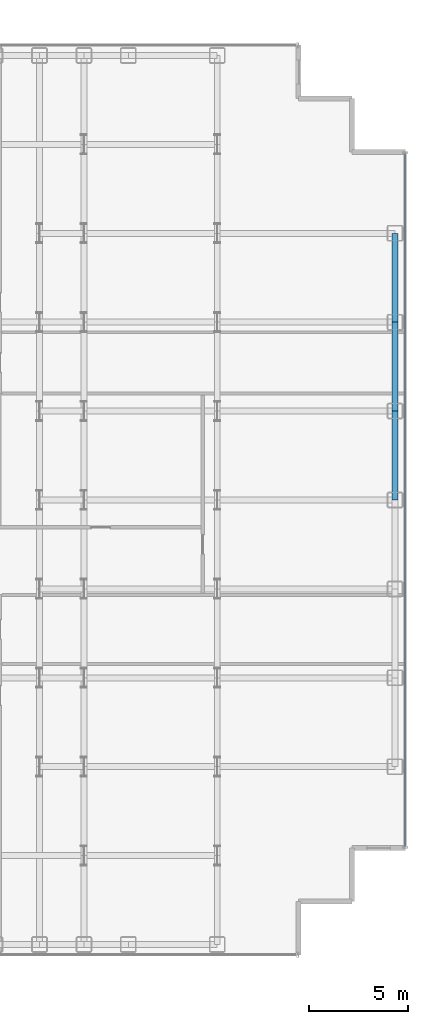
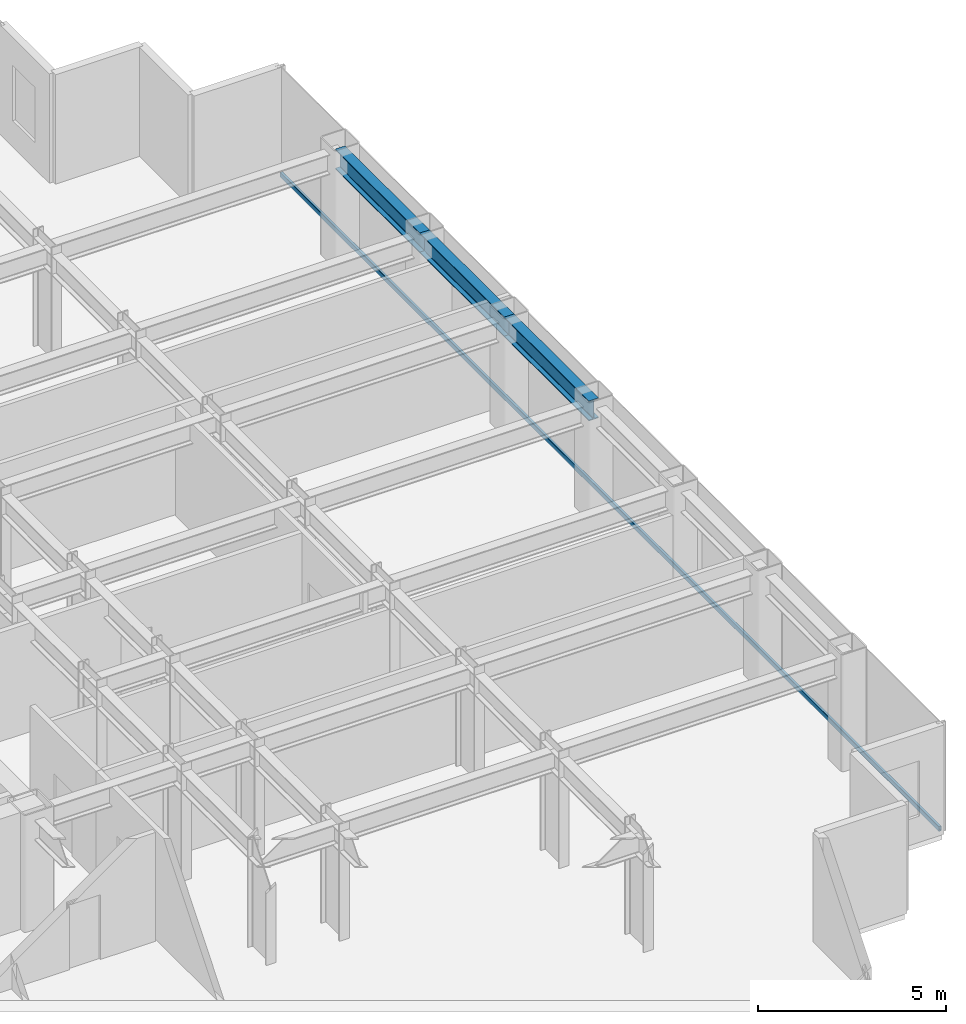
# One storey, part 17 of 26: 3 beams, 1 member, 1 element without a shape of its own.
"""IFC4 building model written with IfcOpenShell, lengths in metres."""

from ifc_helpers import new_model, si_unit, direction, frame, origin, origin_2d, place, context, subcontext, project, spatial, hollow_rectangle, i_section, extrude, source, transform, mapped, material, layer, layer_set, material_profile, profile_set, type_object, element, aggregate, save


model = new_model("IFC4")

# Units and contexts
model_context = context("Model", 3, precision=1e-05, world=origin(), true_north=direction((0.0, 1.0)))
body_context = subcontext(model_context, "Body", "Model", "MODEL_VIEW")
ifc_project = project(units=[si_unit("LENGTHUNIT", "METRE"), si_unit("AREAUNIT", "SQUARE_METRE"), si_unit("VOLUMEUNIT", "CUBIC_METRE"), si_unit("PLANEANGLEUNIT", "RADIAN"), si_unit("MASSUNIT", "GRAM", prefix="KILO")], contexts=[model_context])

# Site, building, storey
site_placement = place(None, origin())
site = spatial("IfcSite", under=ifc_project, at=site_placement, CompositionType="ELEMENT")
building_placement = place(site_placement, origin())
building = spatial("IfcBuilding", under=site, at=building_placement, Name="Nefas-Gora Pilgrimage Tower", CompositionType="ELEMENT")
storey_placement = place(building_placement, frame((0.0, 0.0, 128.800048828125)))
storey = spatial("IfcBuildingStorey", under=building, at=storey_placement, Name="L31", CompositionType="ELEMENT", Elevation=128.800048828125)

# Beams
ifc_material_1 = material(Name="Steel S355", Category="steel")
ifc_material_profile_1 = material_profile(ifc_material_1, i_section(OverallWidth=0.300048828125, OverallDepth=0.64990234375, WebThickness=0.01611328125, FlangeThickness=0.031005859375, FilletRadius=0.027099609375, at=origin_2d()), Name="HEB 650")
ifc_profile_set_1 = profile_set([ifc_material_profile_1], Name="Steel S355")
beam_type = type_object("IfcBeamType", Name="BM-SPN-HEB500", PredefinedType="SPANDREL", material=ifc_profile_set_1)
shared_shape_1 = source(origin(), body_context, "Body", "SweptSolid", [
    extrude(i_section(OverallWidth=0.300048828125, OverallDepth=0.64990234375, WebThickness=0.01611328125, FlangeThickness=0.031005859375, FilletRadius=0.027099609375, at=origin_2d()), origin(), (0.0, 0.0, 1.0), 4.5),
])
for number, where, z_axis, x_axis, name in (
    (1, (33.75, 0.0, 3.224853515625), (0.0, 1.0, 0.0), (-1.0, 0.0, 0.0), "L31 SP-02 beam"),
    (2, (33.75, 4.5, 3.224853515625), (0.0, 1.0, 0.0), (-1.0, 0.0, 0.0), "L31 SP-02 beam"),
    (3, (33.75, 9.0, 3.224853515625), (0.0, 1.0, 0.0), (-1.0, 0.0, 0.0), "L31 SP-02 beam"),
):
    element("IfcBeam", number, at=place(storey_placement, frame(where, z_axis=z_axis, x_axis=x_axis)), inside=storey, type_object=beam_type, Name=name, PredefinedType="SPANDREL", context=body_context, shape_type="MappedRepresentation", body=[
        mapped(shared_shape_1, transform((0.0, 0.0, 0.0), x_axis=(1.0, 0.0, 0.0), y_axis=(0.0, 1.0, 0.0), z_axis=(0.0, 0.0, 1.0), scale=1.0)),
    ])

# Curtain wall, member
ifc_material_2 = material(Name="Dark ceramic-fritted solar-control aluminium-glass curtain wall", Category="aluminium")
ifc_layer = layer(ifc_material_2, 0.219970703125)
ifc_layer_set = layer_set([ifc_layer], Name="Dark ceramic-fritted solar-control aluminium-glass curtain wall")
curtain_wall_type = type_object("IfcCurtainWallType", Name="CW-SYS-2", PredefinedType="NOTDEFINED", material=ifc_layer_set)
curtain_wall_placement = place(storey_placement, origin())
curtain_wall = element("IfcCurtainWall", 4, at=curtain_wall_placement, inside=storey, type_object=curtain_wall_type, Name="L31 Unitised Curtain Wall CW2", PredefinedType="NOTDEFINED")
ifc_material_3 = material(Name="Anodised architectural aluminium", Category="aluminium")
ifc_material_profile_2 = material_profile(ifc_material_3, hollow_rectangle(XDim=0.080078125, YDim=0.159912109375, WallThickness=0.00439453125, InnerFilletRadius=0.00439453125, OuterFilletRadius=0.009033203125, at=origin_2d()), Name="ALU TRANSOM 80x160")
ifc_profile_set_2 = profile_set([ifc_material_profile_2], Name="Anodised architectural aluminium")
member_type = type_object("IfcMemberType", Name="CWM-TRN-2", PredefinedType="USERDEFINED", material=ifc_profile_set_2)
shared_shape_2 = source(origin(), body_context, "Body", "SweptSolid", [
    extrude(hollow_rectangle(XDim=0.080078125, YDim=0.159912109375, WallThickness=0.00439453125, InnerFilletRadius=0.00439453125, OuterFilletRadius=0.009033203125, at=origin_2d()), origin(), (0.0, 0.0, 1.0), 35.06005859375),
])
member_placement = place(storey_placement, frame((34.27001953125, -17.530029296875, 0.050048828125), z_axis=(0.0, 1.0, 0.0), x_axis=(-1.0, 0.0, 0.0)))
member = element("IfcMember", 5, at=member_placement, type_object=member_type, Name="CW2 Spandrel Transom", ObjectType="TRANSOM", PredefinedType="USERDEFINED", context=body_context, shape_type="MappedRepresentation", body=[
    mapped(shared_shape_2, transform((0.0, 0.0, 0.0), x_axis=(1.0, 0.0, 0.0), y_axis=(0.0, 1.0, 0.0), z_axis=(0.0, 0.0, 1.0), scale=1.0)),
])
aggregate(curtain_wall, [member])

save(model, "model.ifc")
